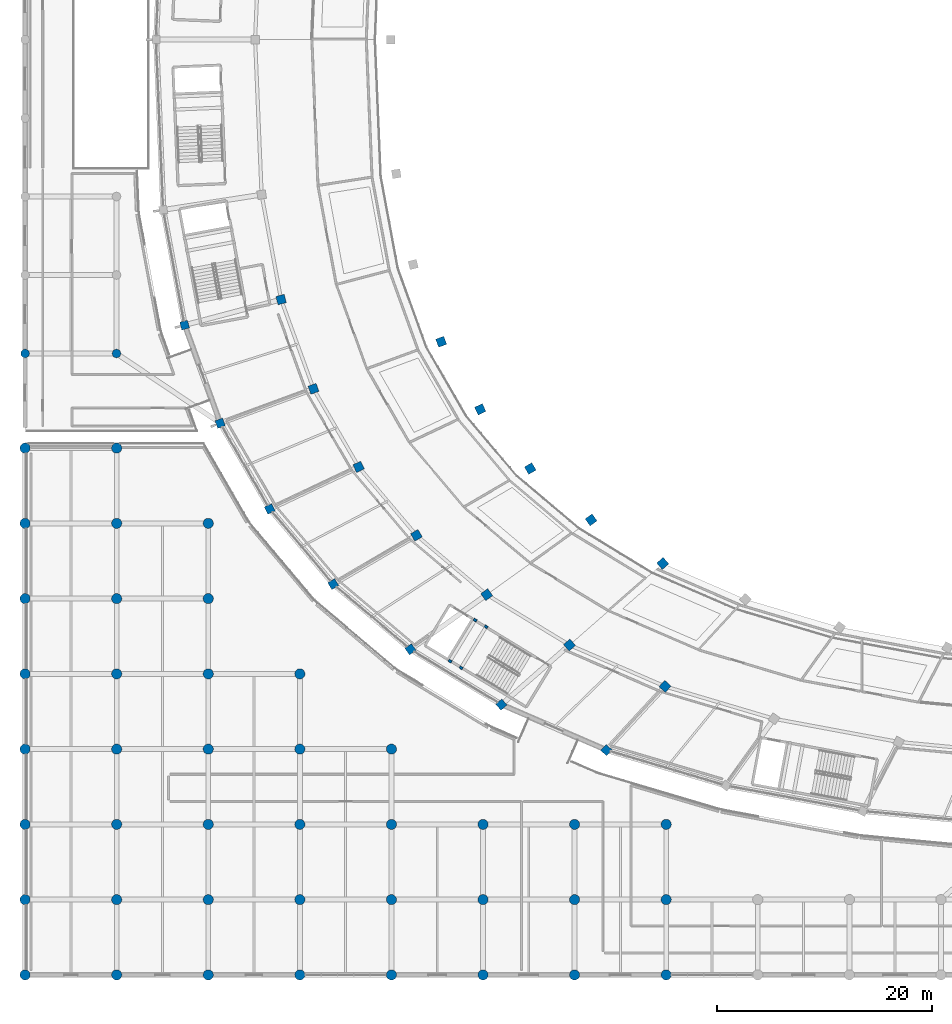
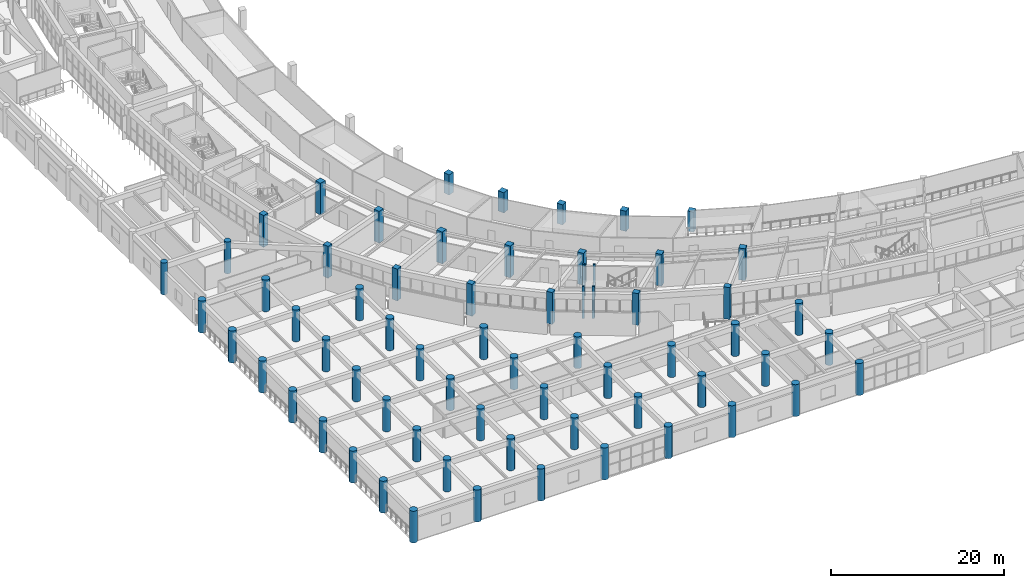
# One storey, part 1 of 141: 66 columns.
"""IFC4 building model written with IfcOpenShell, lengths in metres."""

import ifcopenshell
import ifcopenshell.guid

model = None  # the IFC model being written
_history = None  # IfcOwnerHistory: only IFC2X3 demands one
_inside = {}  # id of a spatial element -> (the spatial element, [elements in it])
_under = {}  # id of a project, library or spatial element -> (it, [spatial elements below it])
_declared = {}  # id of a project -> (the project, [libraries it declares])
_typed = {}  # id of a type object -> (the type object, [elements of that type])
_made_of = {}  # id of a material, layer set ... -> (it, [elements and type objects made of it])


def new_model(schema):
    """Start an empty IFC model of exactly this schema.

    Asked for "IFC4X3", IfcOpenShell would pick the latest addendum, in which some entities
    have other attributes; the version numbers below select the first issue.
    IFC2X3 requires an IfcOwnerHistory on every rooted entity: one is made here for all.
    """
    global model, _history
    if schema == "IFC4X3":
        model = ifcopenshell.file(schema_version=(4, 3, 0, 0))
    else:
        model = ifcopenshell.file(schema=schema)
    _inside.clear()
    _under.clear()
    _declared.clear()
    _typed.clear()
    _made_of.clear()
    _history = None
    if model.schema == "IFC2X3":
        org = make("IfcOrganization", Name="unknown")
        user = make(
            "IfcPersonAndOrganization",
            ThePerson=make("IfcPerson", FamilyName="unknown"),
            TheOrganization=org,
        )
        app = make(
            "IfcApplication",
            ApplicationDeveloper=org,
            Version="unknown",
            ApplicationFullName="unknown",
            ApplicationIdentifier="unknown",
        )
        _history = make(
            "IfcOwnerHistory",
            OwningUser=user,
            OwningApplication=app,
            ChangeAction="ADDED",
            CreationDate=0,
        )
    return model


def make(cls, **values):
    """One entity of the class cls with the attributes given. An attribute that is None is left unset."""
    return model.create_entity(
        cls, **{name: value for name, value in values.items() if value is not None}
    )


def rooted(cls, **values):
    """An entity with a GlobalId (a new one), such as an element, a storey or a relation."""
    return make(cls, GlobalId=ifcopenshell.guid.new(), OwnerHistory=_history, **values)


def si_unit(unit_type, name, prefix=None):
    """IfcSIUnit, for example si_unit("LENGTHUNIT", "METRE", prefix="MILLI")."""
    return make("IfcSIUnit", UnitType=unit_type, Prefix=prefix, Name=name)


def assignment(units):
    """IfcUnitAssignment: the units of a project."""
    return None if units is None else make("IfcUnitAssignment", Units=units)


def point(xyz):
    """IfcCartesianPoint."""
    return None if xyz is None else make("IfcCartesianPoint", Coordinates=xyz)


def direction(xyz):
    """IfcDirection."""
    return None if xyz is None else make("IfcDirection", DirectionRatios=xyz)


def frame(location, z_axis=None, x_axis=None):
    """IfcAxis2Placement3D, a coordinate frame: its origin and axes. An axis left out is left unset."""
    return make(
        "IfcAxis2Placement3D",
        Location=point(location),
        Axis=direction(z_axis),
        RefDirection=direction(x_axis),
    )


def frame_2d(location, x_axis=None):
    """IfcAxis2Placement2D, a coordinate frame in the plane: its origin and x axis."""
    return make(
        "IfcAxis2Placement2D", Location=point(location), RefDirection=direction(x_axis)
    )


def origin():
    """The frame at (0, 0, 0) with its axes left unset."""
    return frame((0.0, 0.0, 0.0))


def origin_2d():
    """The frame at (0, 0) in the plane with its x axis left unset."""
    return frame_2d((0.0, 0.0))


def place(relative_to, where):
    """IfcLocalPlacement: puts the frame where relative to a parent placement (None: the world)."""
    return make(
        "IfcLocalPlacement", PlacementRelTo=relative_to, RelativePlacement=where
    )


def context(
    kind, dimensions, precision=None, world=None, true_north=None, identifier=None
):
    """IfcGeometricRepresentationContext, for example the 3D "Model" context."""
    return make(
        "IfcGeometricRepresentationContext",
        ContextIdentifier=identifier,
        ContextType=kind,
        CoordinateSpaceDimension=dimensions,
        Precision=precision,
        WorldCoordinateSystem=world,
        TrueNorth=true_north,
    )


def subcontext(parent, identifier, kind, view, scale=None):
    """IfcGeometricRepresentationSubContext, for example "Body" below "Model"."""
    return make(
        "IfcGeometricRepresentationSubContext",
        ContextIdentifier=identifier,
        ContextType=kind,
        ParentContext=parent,
        TargetScale=scale,
        TargetView=view,
    )


def project(units=None, contexts=None):
    """IfcProject with its units and contexts."""
    return rooted(
        "IfcProject",
        Name="project",
        RepresentationContexts=contexts,
        UnitsInContext=assignment(units),
    )


def spatial(cls, under=None, at=None, **own):
    """A site, building, storey or space (cls), placed at a placement, below another one or the project."""
    s = rooted(cls, ObjectPlacement=at, **own)
    if under is not None:
        _under.setdefault(under.id(), (under, []))[1].append(s)
    return s


def profile(cls, at=None, kind="AREA", **sizes):
    """A parametric profile (cls). Its sizes go by their IFC names, for example OverallWidth=200.0."""
    return make(cls, ProfileType=kind, Position=at, **sizes)


def rectangle(**sizes):
    """IfcRectangleProfileDef."""
    return profile("IfcRectangleProfileDef", **sizes)


def circle(**sizes):
    """IfcCircleProfileDef."""
    return profile("IfcCircleProfileDef", **sizes)


def extrude(swept, where, along, depth):
    """IfcExtrudedAreaSolid: the profile swept, set in the frame where, extruded along a direction by depth."""
    return make(
        "IfcExtrudedAreaSolid",
        SweptArea=swept,
        Position=where,
        ExtrudedDirection=direction(along),
        Depth=depth,
    )


def shape(context_of_items, identifier, shape_type, items):
    """IfcShapeRepresentation: the items that make up one representation, for example the "Body"."""
    return make(
        "IfcShapeRepresentation",
        ContextOfItems=context_of_items,
        RepresentationIdentifier=identifier,
        RepresentationType=shape_type,
        Items=items,
    )


def material(Name=None, Category=None):
    """IfcMaterial."""
    return make("IfcMaterial", Name=Name, Category=Category)


def material_profile(
    of_material, cross_section, Name=None, Category=None, Priority=None
):
    """IfcMaterialProfile: a cross section and its material."""
    return make(
        "IfcMaterialProfile",
        Name=Name,
        Material=of_material,
        Profile=cross_section,
        Priority=Priority,
        Category=Category,
    )


def profile_set(profiles, Name=None, composite=None):
    """IfcMaterialProfileSet."""
    return make(
        "IfcMaterialProfileSet",
        Name=Name,
        MaterialProfiles=profiles,
        CompositeProfile=composite,
    )


def made_of(thing, what):
    """Note that an element or type object is made of a material, layer set ...; save() writes the relation."""
    if what is not None:
        _made_of.setdefault(what.id(), (what, []))[1].append(thing)
    return thing


def type_object(cls, material=None, **own):
    """A type object (cls), such as IfcWallType, which elements share."""
    return made_of(rooted(cls, **own), material)


def element(
    cls,
    number,
    at=None,
    inside=None,
    cuts=None,
    type_object=None,
    material=None,
    context=None,
    identifier="Body",
    shape_type=None,
    held_by="IfcProductDefinitionShape",
    body=None,
    shapes=None,
    **own,
):
    """One element of the class cls, such as IfcWall. Its Tag is "e" and its number.

    at: its placement. inside: the storey or other place that contains it. cuts: it is an
    opening in that element (IfcRelVoidsElement). A single representation is given by context,
    identifier, shape_type and body (its items); several are given by shapes. held_by: the class
    of the entity that holds the representations. save() writes the other relations.
    """
    e = rooted(cls, Tag="e%d" % number, ObjectPlacement=at, **own)
    if body is not None:
        shapes = [shape(context, identifier, shape_type, body)]
    if shapes is not None:
        e.Representation = make(held_by, Representations=shapes)
    if inside is not None:
        _inside.setdefault(inside.id(), (inside, []))[1].append(e)
    if cuts is not None:
        rooted(
            "IfcRelVoidsElement", RelatingBuildingElement=cuts, RelatedOpeningElement=e
        )
    if type_object is not None:
        _typed.setdefault(type_object.id(), (type_object, []))[1].append(e)
    return made_of(e, material)


def aggregate(whole, parts):
    """IfcRelAggregates: a whole, such as a stair, and the parts it consists of."""
    return rooted("IfcRelAggregates", RelatingObject=whole, RelatedObjects=parts)


def save(model, path):
    """Write the relations noted so far, then the file.

    IfcRelAggregates (storeys below a building ...), IfcRelContainedInSpatialStructure (elements
    in a storey), IfcRelDefinesByType, IfcRelAssociatesMaterial and IfcRelDeclares: one each for
    every whole, place, type object, material and project.
    """
    for whole, parts in _under.values():
        aggregate(whole, parts)
    for where, things in _inside.values():
        rooted(
            "IfcRelContainedInSpatialStructure",
            RelatedElements=things,
            RelatingStructure=where,
        )
    for kind, things in _typed.values():
        rooted("IfcRelDefinesByType", RelatedObjects=things, RelatingType=kind)
    for what, things in _made_of.values():
        rooted("IfcRelAssociatesMaterial", RelatedObjects=things, RelatingMaterial=what)
    for by, libraries in _declared.values():
        rooted("IfcRelDeclares", RelatingContext=by, RelatedDefinitions=libraries)
    model.write(path)


model = new_model("IFC4")

# Units and contexts
model_context = context("Model", 3, precision=1e-05, world=origin(), true_north=direction((0.0, 1.0)))
body_context = subcontext(model_context, "Body", "Model", "MODEL_VIEW")
ifc_project = project(units=[si_unit("LENGTHUNIT", "METRE"), si_unit("AREAUNIT", "SQUARE_METRE"), si_unit("VOLUMEUNIT", "CUBIC_METRE"), si_unit("PLANEANGLEUNIT", "RADIAN"), si_unit("MASSUNIT", "GRAM", prefix="KILO")], contexts=[model_context])

# Site, building, storey
site_placement = place(None, origin())
site = spatial("IfcSite", under=ifc_project, at=site_placement, CompositionType="ELEMENT")
building_placement = place(site_placement, origin())
building = spatial("IfcBuilding", under=site, at=building_placement, Name="Mphavela Belvedere Stadium", CompositionType="ELEMENT")
storey_placement = place(building_placement, frame((0.0, 0.0, 14.699951171875)))
storey = spatial("IfcBuildingStorey", under=building, at=storey_placement, Name="L03", CompositionType="ELEMENT", Elevation=14.699951171875)

# Columns
ifc_material_1 = material(Name="Concrete C40/50", Category="concrete")
ifc_material_profile_1 = material_profile(ifc_material_1, rectangle(XDim=0.300048828125, YDim=0.219970703125, at=origin_2d()), Name="RC 300x220")
ifc_profile_set_1 = profile_set([ifc_material_profile_1], Name="Concrete C40/50")
column_type_1 = type_object("IfcColumnType", Name="COL-CORE-POST-300", PredefinedType="COLUMN", material=ifc_profile_set_1)
for number, where, z_axis, x_axis, name in (
    (1, (42.879150390625, 32.381591796875, 0.0), (0.0, 0.0, 1.0), (-0.854368143929, 0.519668235165, 0.0), "Core C10 stair frame column L03-1"),
    (2, (41.85400390625, 33.005126953125, 0.0), (0.0, 0.0, 1.0), (-0.854368143929, 0.519668235165, 0.0), "Core C10 stair frame column L03-2"),
    (3, (39.531005859375, 29.18603515625, 0.0), (0.0, 0.0, 1.0), (-0.854368143929, 0.519668235165, 0.0), "Core C10 stair frame column L03-3"),
    (4, (40.55615234375, 28.5625, 0.0), (0.0, 0.0, 1.0), (-0.854368143929, 0.519668235165, 0.0), "Core C10 stair frame column L03-4"),
):
    element("IfcColumn", number, at=place(storey_placement, frame(where, z_axis=z_axis, x_axis=x_axis)), inside=storey, type_object=column_type_1, Name=name, PredefinedType="COLUMN", context=body_context, shape_type="SweptSolid", body=[
        extrude(rectangle(XDim=0.300048828125, YDim=0.219970703125, at=origin_2d()), origin(), (0.0, 0.0, 1.0), 4.5),
    ])
ifc_material_2 = material(Name="Concrete C40/50", Category="concrete")
ifc_material_profile_2 = material_profile(ifc_material_2, circle(Radius=0.47509765625, at=origin_2d()), Name="COL D950")
ifc_profile_set_2 = profile_set([ifc_material_profile_2], Name="Concrete C40/50")
column_type_2 = type_object("IfcColumnType", Name="COL-DORIC-950", PredefinedType="COLUMN", material=ifc_profile_set_2)
for number, where, z_axis, x_axis, name in (
    (5, (0.0, 0.0, 0.0), (0.0, 0.0, 1.0), (1.0, 0.0, 0.0), "South Axial Triumphal Peristyle Portico classical column L03 1-1"),
    (6, (0.0, 7.0, 0.0), (0.0, 0.0, 1.0), (1.0, 0.0, 0.0), "South Axial Triumphal Peristyle Portico classical column L03 1-2"),
    (7, (0.0, 14.0, 0.0), (0.0, 0.0, 1.0), (1.0, 0.0, 0.0), "South Axial Triumphal Peristyle Portico classical column L03 1-3"),
    (8, (0.0, 21.0, 0.0), (0.0, 0.0, 1.0), (1.0, 0.0, 0.0), "South Axial Triumphal Peristyle Portico classical column L03 1-4"),
    (9, (0.0, 28.0, 0.0), (0.0, 0.0, 1.0), (1.0, 0.0, 0.0), "South Axial Triumphal Peristyle Portico classical column L03 1-5"),
    (10, (0.0, 35.0, 0.0), (0.0, 0.0, 1.0), (1.0, 0.0, 0.0), "South Axial Triumphal Peristyle Portico classical column L03 1-6"),
    (11, (0.0, 42.0, 0.0), (0.0, 0.0, 1.0), (1.0, 0.0, 0.0), "South Axial Triumphal Peristyle Portico classical column L03 1-7"),
    (12, (0.0, 49.0, 0.0), (0.0, 0.0, 1.0), (1.0, 0.0, 0.0), "South Axial Triumphal Peristyle Portico classical column L03 1-8"),
    (13, (8.51904296875, 0.0, 0.0), (0.0, 0.0, 1.0), (1.0, 0.0, 0.0), "South Axial Triumphal Peristyle Portico classical column L03 2-1"),
    (14, (8.51904296875, 7.0, 0.0), (0.0, 0.0, 1.0), (1.0, 0.0, 0.0), "South Axial Triumphal Peristyle Portico classical column L03 2-2"),
    (15, (8.51904296875, 14.0, 0.0), (0.0, 0.0, 1.0), (1.0, 0.0, 0.0), "South Axial Triumphal Peristyle Portico classical column L03 2-3"),
    (16, (8.51904296875, 21.0, 0.0), (0.0, 0.0, 1.0), (1.0, 0.0, 0.0), "South Axial Triumphal Peristyle Portico classical column L03 2-4"),
    (17, (8.51904296875, 28.0, 0.0), (0.0, 0.0, 1.0), (1.0, 0.0, 0.0), "South Axial Triumphal Peristyle Portico classical column L03 2-5"),
    (18, (8.51904296875, 35.0, 0.0), (0.0, 0.0, 1.0), (1.0, 0.0, 0.0), "South Axial Triumphal Peristyle Portico classical column L03 2-6"),
    (19, (8.51904296875, 42.0, 0.0), (0.0, 0.0, 1.0), (1.0, 0.0, 0.0), "South Axial Triumphal Peristyle Portico classical column L03 2-7"),
    (20, (8.51904296875, 49.0, 0.0), (0.0, 0.0, 1.0), (1.0, 0.0, 0.0), "South Axial Triumphal Peristyle Portico classical column L03 2-8"),
    (21, (17.037109375, 0.0, 0.0), (0.0, 0.0, 1.0), (1.0, 0.0, 0.0), "South Axial Triumphal Peristyle Portico classical column L03 3-1"),
    (22, (17.037109375, 7.0, 0.0), (0.0, 0.0, 1.0), (1.0, 0.0, 0.0), "South Axial Triumphal Peristyle Portico classical column L03 3-2"),
    (23, (17.037109375, 14.0, 0.0), (0.0, 0.0, 1.0), (1.0, 0.0, 0.0), "South Axial Triumphal Peristyle Portico classical column L03 3-3"),
    (24, (17.037109375, 21.0, 0.0), (0.0, 0.0, 1.0), (1.0, 0.0, 0.0), "South Axial Triumphal Peristyle Portico classical column L03 3-4"),
    (25, (17.037109375, 28.0, 0.0), (0.0, 0.0, 1.0), (1.0, 0.0, 0.0), "South Axial Triumphal Peristyle Portico classical column L03 3-5"),
    (26, (17.037109375, 35.0, 0.0), (0.0, 0.0, 1.0), (1.0, 0.0, 0.0), "South Axial Triumphal Peristyle Portico classical column L03 3-6"),
    (27, (17.037109375, 42.0, 0.0), (0.0, 0.0, 1.0), (1.0, 0.0, 0.0), "South Axial Triumphal Peristyle Portico classical column L03 3-7"),
    (28, (25.555908203125, 0.0, 0.0), (0.0, 0.0, 1.0), (1.0, 0.0, 0.0), "South Axial Triumphal Peristyle Portico classical column L03 4-1"),
    (29, (25.555908203125, 7.0, 0.0), (0.0, 0.0, 1.0), (1.0, 0.0, 0.0), "South Axial Triumphal Peristyle Portico classical column L03 4-2"),
    (30, (25.555908203125, 14.0, 0.0), (0.0, 0.0, 1.0), (1.0, 0.0, 0.0), "South Axial Triumphal Peristyle Portico classical column L03 4-3"),
    (31, (25.555908203125, 21.0, 0.0), (0.0, 0.0, 1.0), (1.0, 0.0, 0.0), "South Axial Triumphal Peristyle Portico classical column L03 4-4"),
    (32, (25.555908203125, 28.0, 0.0), (0.0, 0.0, 1.0), (1.0, 0.0, 0.0), "South Axial Triumphal Peristyle Portico classical column L03 4-5"),
    (33, (34.073974609375, 0.0, 0.0), (0.0, 0.0, 1.0), (1.0, 0.0, 0.0), "South Axial Triumphal Peristyle Portico classical column L03 5-1"),
    (34, (34.073974609375, 7.0, 0.0), (0.0, 0.0, 1.0), (1.0, 0.0, 0.0), "South Axial Triumphal Peristyle Portico classical column L03 5-2"),
    (35, (34.073974609375, 14.0, 0.0), (0.0, 0.0, 1.0), (1.0, 0.0, 0.0), "South Axial Triumphal Peristyle Portico classical column L03 5-3"),
    (36, (34.073974609375, 21.0, 0.0), (0.0, 0.0, 1.0), (1.0, 0.0, 0.0), "South Axial Triumphal Peristyle Portico classical column L03 5-4"),
    (37, (42.593017578125, 0.0, 0.0), (0.0, 0.0, 1.0), (1.0, 0.0, 0.0), "South Axial Triumphal Peristyle Portico classical column L03 6-1"),
    (38, (42.593017578125, 7.0, 0.0), (0.0, 0.0, 1.0), (1.0, 0.0, 0.0), "South Axial Triumphal Peristyle Portico classical column L03 6-2"),
    (39, (42.593017578125, 14.0, 0.0), (0.0, 0.0, 1.0), (1.0, 0.0, 0.0), "South Axial Triumphal Peristyle Portico classical column L03 6-3"),
    (40, (51.111083984375, 0.0, 0.0), (0.0, 0.0, 1.0), (1.0, 0.0, 0.0), "South Axial Triumphal Peristyle Portico classical column L03 7-1"),
    (41, (51.111083984375, 7.0, 0.0), (0.0, 0.0, 1.0), (1.0, 0.0, 0.0), "South Axial Triumphal Peristyle Portico classical column L03 7-2"),
    (42, (51.111083984375, 14.0, 0.0), (0.0, 0.0, 1.0), (1.0, 0.0, 0.0), "South Axial Triumphal Peristyle Portico classical column L03 7-3"),
    (43, (59.6298828125, 0.0, 0.0), (0.0, 0.0, 1.0), (1.0, 0.0, 0.0), "South Axial Triumphal Peristyle Portico classical column L03 8-1"),
    (44, (59.6298828125, 7.0, 0.0), (0.0, 0.0, 1.0), (1.0, 0.0, 0.0), "South Axial Triumphal Peristyle Portico classical column L03 8-2"),
    (45, (59.6298828125, 14.0, 0.0), (0.0, 0.0, 1.0), (1.0, 0.0, 0.0), "South Axial Triumphal Peristyle Portico classical column L03 8-3"),
):
    element("IfcColumn", number, at=place(storey_placement, frame(where, z_axis=z_axis, x_axis=x_axis)), inside=storey, type_object=column_type_2, Name=name, PredefinedType="COLUMN", context=body_context, shape_type="SweptSolid", body=[
        extrude(circle(Radius=0.47509765625, at=origin_2d()), origin(), (0.0, 0.0, 1.0), 4.5),
    ])
ifc_material_3 = material(Name="Concrete C40/50", Category="concrete")
ifc_material_profile_3 = material_profile(ifc_material_3, circle(Radius=0.39990234375, at=origin_2d()), Name="COL D800")
ifc_profile_set_3 = profile_set([ifc_material_profile_3], Name="Concrete C40/50")
column_type_3 = type_object("IfcColumnType", Name="COL-PERISTYLE-800", PredefinedType="COLUMN", material=ifc_profile_set_3)
for number, where, z_axis, x_axis, name in (
    (46, (0.0, 57.800048828125, 0.0), (0.0, 0.0, 1.0), (1.0, 0.0, 0.0), "West Planted Eaves Peristyle Colonnade classical column L03 1-2"),
    (47, (8.5, 57.800048828125, 0.0), (0.0, 0.0, 1.0), (1.0, 0.0, 0.0), "West Planted Eaves Peristyle Colonnade classical column L03 2-2"),
):
    element("IfcColumn", number, at=place(storey_placement, frame(where, z_axis=z_axis, x_axis=x_axis)), inside=storey, type_object=column_type_3, Name=name, PredefinedType="COLUMN", context=body_context, shape_type="SweptSolid", body=[
        extrude(circle(Radius=0.39990234375, at=origin_2d()), origin(), (0.0, 0.0, 1.0), 4.5),
    ])
ifc_material_4 = material(Name="Concrete C40/50", Category="concrete")
ifc_material_profile_4 = material_profile(ifc_material_4, rectangle(XDim=0.75, YDim=0.75, at=origin_2d()), Name="RC 750x750")
ifc_profile_set_4 = profile_set([ifc_material_profile_4], Name="Concrete C40/50")
column_type_4 = type_object("IfcColumnType", Name="COL-RC750", PredefinedType="COLUMN", material=ifc_profile_set_4)
for number, where, z_axis, x_axis, name in (
    (48, (14.83544921875, 60.4375, 0.0), (0.0, 0.0, 1.0), (-0.966600102017, -0.256289373133, 0.0), "Outer colonnade column L03 R4-27"),
    (49, (18.143798828125, 51.317626953125, 0.0), (0.0, 0.0, 1.0), (-0.938372433776, -0.34562577382, 0.0), "Outer colonnade column L03 R4-28"),
    (50, (22.757568359375, 43.33837890625, 0.0), (0.0, 0.0, 1.0), (-0.903858661687, -0.4278311813, 0.0), "Outer colonnade column L03 R4-29"),
    (51, (28.66162109375, 36.346435546875, 0.0), (0.0, 0.0, 1.0), (-0.862513669207, -0.506033764121, 0.0), "Outer colonnade column L03 R4-30"),
    (52, (35.844482421875, 30.285400390625, 0.0), (0.0, 0.0, 1.0), (-0.812897512265, -0.582406760395, 0.0), "Outer colonnade column L03 R4-31"),
    (53, (44.3037109375, 25.13916015625, 0.0), (0.0, 0.0, 1.0), (-0.752529860433, -0.658558128912, 0.0), "Outer colonnade column L03 R4-32"),
    (54, (54.0625, 20.90869140625, 0.0), (0.0, 0.0, 1.0), (-0.677903094969, -0.735151272753, 0.0), "Outer colonnade column L03 R4-33"),
):
    element("IfcColumn", number, at=place(storey_placement, frame(where, z_axis=z_axis, x_axis=x_axis)), inside=storey, type_object=column_type_4, Name=name, PredefinedType="COLUMN", context=body_context, shape_type="SweptSolid", body=[
        extrude(rectangle(XDim=0.75, YDim=0.75, at=origin_2d()), origin(), (0.0, 0.0, 1.0), 4.5),
    ])
ifc_material_5 = material(Name="Concrete C40/50", Category="concrete")
ifc_material_profile_5 = material_profile(ifc_material_5, rectangle(XDim=0.800048828125, YDim=0.800048828125, at=origin_2d()), Name="RC 800x800")
ifc_profile_set_5 = profile_set([ifc_material_profile_5], Name="Concrete C40/50")
column_type_5 = type_object("IfcColumnType", Name="COL-RC800", PredefinedType="COLUMN", material=ifc_profile_set_5)
column_1_placement = place(storey_placement, frame((23.8125, 62.818115234375, 0.0), z_axis=(0.0, 0.0, 1.0), x_axis=(-0.966600102017, -0.256289373133, 0.0)))
element("IfcColumn", 55, at=column_1_placement, inside=storey, type_object=column_type_5, Name="Main bowl column L03 R3-27", PredefinedType="COLUMN", context=body_context, shape_type="SweptSolid", body=[
    extrude(rectangle(XDim=0.800048828125, YDim=0.800048828125, at=origin_2d()), origin(), (0.0, 0.0, 1.0), 4.5),
])
column_2_placement = place(storey_placement, frame((38.702880859375, 58.891845703125, 0.0), z_axis=(0.0, 0.0, 1.0), x_axis=(-0.938372433776, -0.34562577382, 0.0)))
element("IfcColumn", 56, at=column_2_placement, inside=storey, type_object=column_type_5, Name="Upper raker support column L03 R2-28", PredefinedType="COLUMN", context=body_context, shape_type="SweptSolid", body=[
    extrude(rectangle(XDim=0.800048828125, YDim=0.800048828125, at=origin_2d()), origin(), (0.0, 0.0, 1.0), 2.85009765625),
])
column_3_placement = place(storey_placement, frame((26.824462890625, 54.515625, 0.0), z_axis=(0.0, 0.0, 1.0), x_axis=(-0.938372433776, -0.34562577382, 0.0)))
element("IfcColumn", 57, at=column_3_placement, inside=storey, type_object=column_type_5, Name="Main bowl column L03 R3-28", PredefinedType="COLUMN", context=body_context, shape_type="SweptSolid", body=[
    extrude(rectangle(XDim=0.800048828125, YDim=0.800048828125, at=origin_2d()), origin(), (0.0, 0.0, 1.0), 4.5),
])
column_4_placement = place(storey_placement, frame((42.33740234375, 52.606201171875, 0.0), z_axis=(0.0, 0.0, 1.0), x_axis=(-0.903858661687, -0.4278311813, 0.0)))
element("IfcColumn", 58, at=column_4_placement, inside=storey, type_object=column_type_5, Name="Upper raker support column L03 R2-29", PredefinedType="COLUMN", context=body_context, shape_type="SweptSolid", body=[
    extrude(rectangle(XDim=0.800048828125, YDim=0.800048828125, at=origin_2d()), origin(), (0.0, 0.0, 1.0), 2.85009765625),
])
column_5_placement = place(storey_placement, frame((31.0244140625, 47.251708984375, 0.0), z_axis=(0.0, 0.0, 1.0), x_axis=(-0.903858661687, -0.4278311813, 0.0)))
element("IfcColumn", 59, at=column_5_placement, inside=storey, type_object=column_type_5, Name="Main bowl column L03 R3-29", PredefinedType="COLUMN", context=body_context, shape_type="SweptSolid", body=[
    extrude(rectangle(XDim=0.800048828125, YDim=0.800048828125, at=origin_2d()), origin(), (0.0, 0.0, 1.0), 4.5),
])
column_6_placement = place(storey_placement, frame((46.98828125, 47.098388671875, 0.0), z_axis=(0.0, 0.0, 1.0), x_axis=(-0.862513669207, -0.506033764121, 0.0)))
element("IfcColumn", 60, at=column_6_placement, inside=storey, type_object=column_type_5, Name="Upper raker support column L03 R2-30", PredefinedType="COLUMN", context=body_context, shape_type="SweptSolid", body=[
    extrude(rectangle(XDim=0.800048828125, YDim=0.800048828125, at=origin_2d()), origin(), (0.0, 0.0, 1.0), 2.85009765625),
])
column_7_placement = place(storey_placement, frame((36.399658203125, 40.88623046875, 0.0), z_axis=(0.0, 0.0, 1.0), x_axis=(-0.862513669207, -0.506033764121, 0.0)))
element("IfcColumn", 61, at=column_7_placement, inside=storey, type_object=column_type_5, Name="Main bowl column L03 R3-30", PredefinedType="COLUMN", context=body_context, shape_type="SweptSolid", body=[
    extrude(rectangle(XDim=0.800048828125, YDim=0.800048828125, at=origin_2d()), origin(), (0.0, 0.0, 1.0), 4.5),
])
column_8_placement = place(storey_placement, frame((52.646240234375, 42.323974609375, 0.0), z_axis=(0.0, 0.0, 1.0), x_axis=(-0.812897512265, -0.582406760395, 0.0)))
element("IfcColumn", 62, at=column_8_placement, inside=storey, type_object=column_type_5, Name="Upper raker support column L03 R2-31", PredefinedType="COLUMN", context=body_context, shape_type="SweptSolid", body=[
    extrude(rectangle(XDim=0.800048828125, YDim=0.800048828125, at=origin_2d()), origin(), (0.0, 0.0, 1.0), 2.85009765625),
])
column_9_placement = place(storey_placement, frame((42.938720703125, 35.368408203125, 0.0), z_axis=(0.0, 0.0, 1.0), x_axis=(-0.812897512265, -0.582406760395, 0.0)))
element("IfcColumn", 63, at=column_9_placement, inside=storey, type_object=column_type_5, Name="Main bowl column L03 R3-31", PredefinedType="COLUMN", context=body_context, shape_type="SweptSolid", body=[
    extrude(rectangle(XDim=0.800048828125, YDim=0.800048828125, at=origin_2d()), origin(), (0.0, 0.0, 1.0), 4.5),
])
column_10_placement = place(storey_placement, frame((59.31005859375, 38.27001953125, 0.0), z_axis=(0.0, 0.0, 1.0), x_axis=(-0.752529860433, -0.658558128912, 0.0)))
element("IfcColumn", 64, at=column_10_placement, inside=storey, type_object=column_type_5, Name="Upper raker support column L03 R2-32", PredefinedType="COLUMN", context=body_context, shape_type="SweptSolid", body=[
    extrude(rectangle(XDim=0.800048828125, YDim=0.800048828125, at=origin_2d()), origin(), (0.0, 0.0, 1.0), 2.85009765625),
])
for number, where, z_axis, x_axis, name in (
    (65, (50.639892578125, 30.68310546875, 0.0), (0.0, 0.0, 1.0), (-0.752529860433, -0.658558128912, 0.0), "Main bowl column L03 R3-32"),
    (66, (59.523681640625, 26.83203125, 0.0), (0.0, 0.0, 1.0), (-0.677903094969, -0.735151272753, 0.0), "Main bowl column L03 R3-33"),
):
    element("IfcColumn", number, at=place(storey_placement, frame(where, z_axis=z_axis, x_axis=x_axis)), inside=storey, type_object=column_type_5, Name=name, PredefinedType="COLUMN", context=body_context, shape_type="SweptSolid", body=[
        extrude(rectangle(XDim=0.800048828125, YDim=0.800048828125, at=origin_2d()), origin(), (0.0, 0.0, 1.0), 4.5),
    ])

save(model, "model.ifc")
